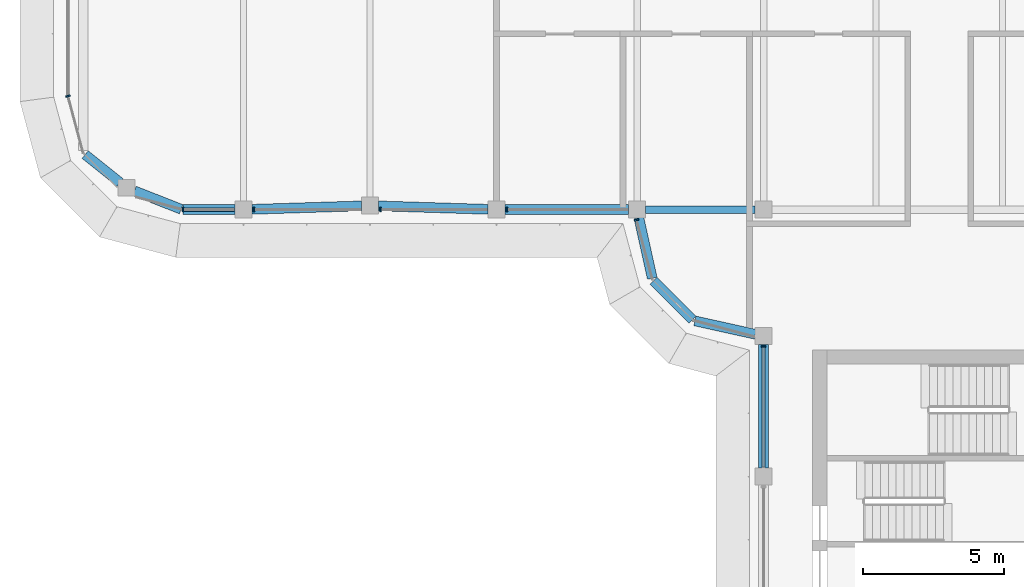
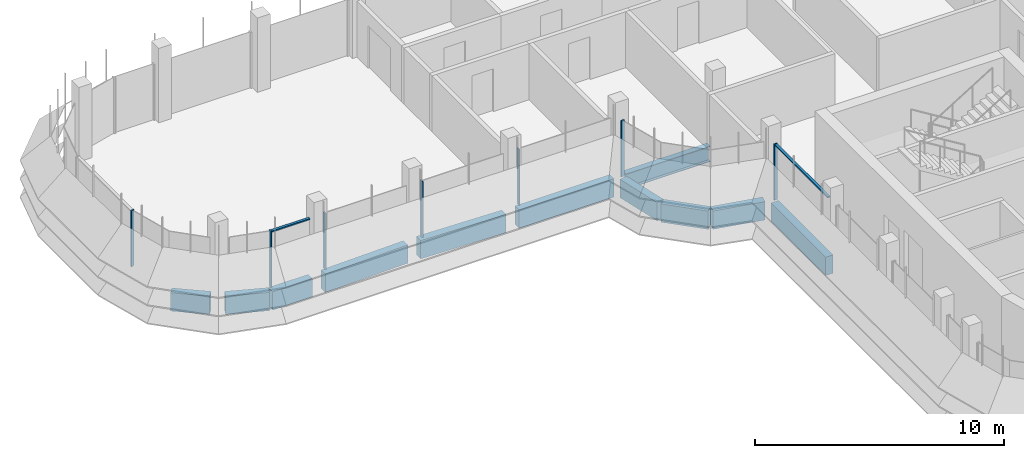
# One storey, part 3 of 19: 11 beams, 9 members, 4 elements without a shape of their own.
"""IFC4 building model written with IfcOpenShell, lengths in metres."""

from ifc_helpers import new_model, si_unit, direction, frame, origin, origin_2d, place, context, subcontext, project, spatial, polyline, rectangle, i_section, outline, extrude, source, transform, mapped, material, material_profile, profile_set, type_object, element, aggregate, save


model = new_model("IFC4")

# Units and contexts
model_context = context("Model", 3, precision=1e-05, world=origin(), true_north=direction((0.0, 1.0)))
body_context = subcontext(model_context, "Body", "Model", "MODEL_VIEW")
ifc_project = project(units=[si_unit("LENGTHUNIT", "METRE"), si_unit("AREAUNIT", "SQUARE_METRE"), si_unit("VOLUMEUNIT", "CUBIC_METRE"), si_unit("PLANEANGLEUNIT", "RADIAN"), si_unit("MASSUNIT", "GRAM", prefix="KILO")], contexts=[model_context])

# Site, building, storey
site_placement = place(None, origin())
site = spatial("IfcSite", under=ifc_project, at=site_placement, CompositionType="ELEMENT")
building_placement = place(site_placement, origin())
building = spatial("IfcBuilding", under=site, at=building_placement, Name="Zarbagh Exchange Tower", CompositionType="ELEMENT")
storey_placement = place(building_placement, frame((0.0, 0.0, 261.199951171875)))
storey = spatial("IfcBuildingStorey", under=building, at=storey_placement, Name="L64", CompositionType="ELEMENT", Elevation=261.199951171875)

# Beams
ifc_material_1 = material(Name="Steel ASTM A992 Gr 50", Category="steel")
ifc_material_profile_1 = material_profile(ifc_material_1, i_section(OverallWidth=0.2666015625, OverallDepth=0.7568359375, WebThickness=0.013916015625, FlangeThickness=0.019287109375, at=origin_2d()), Name="W30X108")
ifc_profile_set_1 = profile_set([ifc_material_profile_1], Name="Steel ASTM A992 Gr 50")
beam_type_1 = type_object("IfcBeamType", Name="Floor girder W30X108", PredefinedType="BEAM", material=ifc_profile_set_1)
beam_1_placement = place(storey_placement, frame((-10.449951171875, -6.25, -0.5283203125), z_axis=(1.0, 0.0, 0.0), x_axis=(0.0, 1.0, 0.0)))
element("IfcBeam", 1, at=beam_1_placement, inside=storey, type_object=beam_type_1, Name="Steel girder", PredefinedType="BEAM", context=body_context, shape_type="SweptSolid", body=[
    extrude(i_section(OverallWidth=0.2666015625, OverallDepth=0.7568359375, WebThickness=0.013916015625, FlangeThickness=0.019287109375, at=origin_2d()), origin(), (0.0, 0.0, 1.0), 3.89990234375),
])
ifc_material_2 = material(Name="Concrete C40/50", Category="concrete")
ifc_material_profile_2 = material_profile(ifc_material_2, rectangle(XDim=0.35009765625, YDim=0.89990234375, at=origin_2d()), Name="RC spandrel beam 350 x 900 C40/50")
ifc_profile_set_2 = profile_set([ifc_material_profile_2], Name="Concrete C40/50")
beam_type_2 = type_object("IfcBeamType", Name="RC spandrel beam 350 x 900 C40/50", PredefinedType="SPANDREL", material=ifc_profile_set_2)
beam_2_placement = place(storey_placement, frame((-6.25, -15.449951171875, -0.599853515625), z_axis=(0.0, 1.0, 0.0), x_axis=(-1.0, 0.0, 0.0)))
element("IfcBeam", 2, at=beam_2_placement, inside=storey, type_object=beam_type_2, Name="RC spandrel beam", PredefinedType="SPANDREL", context=body_context, shape_type="SweptSolid", body=[
    extrude(rectangle(XDim=0.35009765625, YDim=0.89990234375, at=origin_2d()), origin(), (0.0, 0.0, 1.0), 4.39990234375),
])
beam_3_placement = place(storey_placement, frame((-6.54296875, -10.685302734375, -0.599853515625), z_axis=(-0.976387662047, 0.216025770228, 0.0), x_axis=(-0.216025770228, -0.976387662047, 0.0)))
element("IfcBeam", 3, at=beam_3_placement, inside=storey, type_object=beam_type_2, Name="RC spandrel beam", PredefinedType="SPANDREL", context=body_context, shape_type="SweptSolid", body=[
    extrude(rectangle(XDim=0.35009765625, YDim=0.89990234375, at=origin_2d()), origin(), (0.0, 0.0, 1.0), 2.200439453125),
])
beam_4_placement = place(storey_placement, frame((-8.77734375, -10.16259765625, -0.599853515625), z_axis=(-0.707106781187, 0.707106781187, 0.0), x_axis=(-0.707106781187, -0.707106781187, 0.0)))
element("IfcBeam", 4, at=beam_4_placement, inside=storey, type_object=beam_type_2, Name="RC spandrel beam", PredefinedType="SPANDREL", context=body_context, shape_type="SweptSolid", body=[
    extrude(rectangle(XDim=0.35009765625, YDim=0.89990234375, at=origin_2d()), origin(), (0.0, 0.0, 1.0), 1.958984375),
])
beam_5_placement = place(storey_placement, frame((-10.2099609375, -8.69140625, -0.599853515625), z_axis=(-0.216025770228, 0.976387662047, 0.0), x_axis=(-0.976387662047, -0.216025770228, 0.0)))
element("IfcBeam", 5, at=beam_5_placement, inside=storey, type_object=beam_type_2, Name="RC spandrel beam", PredefinedType="SPANDREL", context=body_context, shape_type="SweptSolid", body=[
    extrude(rectangle(XDim=0.35009765625, YDim=0.89990234375, at=origin_2d()), origin(), (0.0, 0.0, 1.0), 2.200439453125),
])
beam_6_placement = place(storey_placement, frame((-11.050048828125, -6.25, -0.599853515625), z_axis=(-1.0, 0.0, 0.0), x_axis=(0.0, -1.0, 0.0)))
element("IfcBeam", 6, at=beam_6_placement, inside=storey, type_object=beam_type_2, Name="RC spandrel beam", PredefinedType="SPANDREL", context=body_context, shape_type="SweptSolid", body=[
    extrude(rectangle(XDim=0.35009765625, YDim=0.89990234375, at=origin_2d()), origin(), (0.0, 0.0, 1.0), 4.39990234375),
])
for number, where, z_axis, x_axis, name in (
    (7, (-16.0498046875, -6.24072265625, -0.599853515625), (-0.999516460907, 0.031094121249, 0.0), (-0.031094121249, -0.999516460907, 0.0), "RC spandrel beam"),
    (8, (-20.5498046875, -6.119384765625, -0.599853515625), (-0.999516460907, -0.031094121249, 0.0), (0.031094121249, -0.999516460907, 0.0), "RC spandrel beam"),
):
    element("IfcBeam", number, at=place(storey_placement, frame(where, z_axis=z_axis, x_axis=x_axis)), inside=storey, type_object=beam_type_2, Name=name, PredefinedType="SPANDREL", context=body_context, shape_type="SweptSolid", body=[
        extrude(rectangle(XDim=0.35009765625, YDim=0.89990234375, at=origin_2d()), origin(), (0.0, 0.0, 1.0), 3.90234375),
    ])
beam_7_placement = place(storey_placement, frame((-25.050048828125, -6.25, -0.599853515625), z_axis=(-1.0, 0.0, 0.0), x_axis=(0.0, -1.0, 0.0)))
element("IfcBeam", 9, at=beam_7_placement, inside=storey, type_object=beam_type_2, Name="RC spandrel beam", PredefinedType="SPANDREL", context=body_context, shape_type="SweptSolid", body=[
    extrude(rectangle(XDim=0.35009765625, YDim=0.89990234375, at=origin_2d()), origin(), (0.0, 0.0, 1.0), 1.850830078125),
])
beam_8_placement = place(storey_placement, frame((-26.965087890625, -6.23779296875, -0.599853515625), z_axis=(-0.930859366381, 0.365377667655, 0.0), x_axis=(-0.365377667655, -0.930859366381, 0.0)))
element("IfcBeam", 10, at=beam_8_placement, inside=storey, type_object=beam_type_2, Name="RC spandrel beam", PredefinedType="SPANDREL", context=body_context, shape_type="SweptSolid", body=[
    extrude(rectangle(XDim=0.35009765625, YDim=0.89990234375, at=origin_2d()), origin(), (0.0, 0.0, 1.0), 1.787353515625),
])
beam_9_placement = place(storey_placement, frame((-29.14208984375, -5.28759765625, -0.599853515625), z_axis=(-0.780584122498, 0.625050740104, 0.0), x_axis=(-0.625050740104, -0.780584122498, 0.0)))
element("IfcBeam", 11, at=beam_9_placement, inside=storey, type_object=beam_type_2, Name="RC spandrel beam", PredefinedType="SPANDREL", context=body_context, shape_type="SweptSolid", body=[
    extrude(rectangle(XDim=0.35009765625, YDim=0.89990234375, at=origin_2d()), origin(), (0.0, 0.0, 1.0), 1.590087890625),
])

# Curtain wall, member
ifc_material_3 = material(Name="Anodised aluminium frame and glazing", Category="aluminium")
curtain_wall_type = type_object("IfcCurtainWallType", Name="CWB Ribbon glazing, upper zones", PredefinedType="NOTDEFINED", material=ifc_material_3)
curtain_wall_1_placement = place(storey_placement, origin())
curtain_wall_1 = element("IfcCurtainWall", 12, at=curtain_wall_1_placement, inside=storey, type_object=curtain_wall_type, Name="CWB62 curtain wall", PredefinedType="NOTDEFINED")
ifc_material_4 = material(Name="Anodised aluminium frame", Category="aluminium")
member_type_1 = type_object("IfcMemberType", Name="MUB Mullion, anodised aluminium frame", PredefinedType="MULLION", material=ifc_material_4)
shared_shape_1 = source(origin(), body_context, "Body", "SweptSolid", [
    extrude(outline(polyline([(0.0, -0.080078125), (0.06005859375, -0.080078125), (0.06005859375, 0.080078125), (0.0, 0.080078125), (0.0, -0.080078125)])), origin(), (0.0, 0.0, 1.0), 2.75),
])
placement = place(storey_placement, origin())
member_1 = element("IfcMember", 13, at=placement, type_object=member_type_1, Name="CWB62 mullion 1.1", PredefinedType="MULLION", context=body_context, shape_type="MappedRepresentation", body=[
    mapped(shared_shape_1, transform((-31.0, -2.18408203125, 0.0), x_axis=(0.258824779902, -0.965924289636, 0.0), y_axis=(0.965924289636, 0.258824779902, 0.0), z_axis=(0.0, 0.0, 1.0))),
])
aggregate(curtain_wall_1, [member_1])

# Curtain wall, members
curtain_wall_2_placement = place(storey_placement, origin())
curtain_wall_2 = element("IfcCurtainWall", 14, at=curtain_wall_2_placement, inside=storey, type_object=curtain_wall_type, Name="CWB65 curtain wall", PredefinedType="NOTDEFINED")
member_2 = element("IfcMember", 15, at=placement, type_object=member_type_1, Name="CWB65 mullion 1.1", PredefinedType="MULLION", context=body_context, shape_type="MappedRepresentation", body=[
    mapped(shared_shape_1, transform((-26.93408203125, -6.25, 0.0), x_axis=(1.0, 0.0, 0.0), y_axis=(0.0, 1.0, 0.0), z_axis=(0.0, 0.0, 1.0))),
])
member_3 = element("IfcMember", 16, at=placement, type_object=member_type_1, Name="CWB65 mullion 2.1", PredefinedType="MULLION", context=body_context, shape_type="MappedRepresentation", body=[
    mapped(shared_shape_1, transform((-24.409912109375, -6.25, 0.0), x_axis=(1.0, 0.0, 0.0), y_axis=(0.0, 1.0, 0.0), z_axis=(0.0, 0.0, 1.0))),
])
member_4 = element("IfcMember", 17, at=placement, type_object=member_type_1, Name="CWB65 mullion 3.1", PredefinedType="MULLION", context=body_context, shape_type="MappedRepresentation", body=[
    mapped(shared_shape_1, transform((-19.909912109375, -6.25, 0.0), x_axis=(1.0, 0.0, 0.0), y_axis=(0.0, 1.0, 0.0), z_axis=(0.0, 0.0, 1.0))),
])
member_5 = element("IfcMember", 18, at=placement, type_object=member_type_1, Name="CWB65 mullion 4.1", PredefinedType="MULLION", context=body_context, shape_type="MappedRepresentation", body=[
    mapped(shared_shape_1, transform((-15.409912109375, -6.25, 0.0), x_axis=(1.0, 0.0, 0.0), y_axis=(0.0, 1.0, 0.0), z_axis=(0.0, 0.0, 1.0))),
])

# Curtain wall, member
curtain_wall_3_placement = place(storey_placement, origin())
curtain_wall_3 = element("IfcCurtainWall", 19, at=curtain_wall_3_placement, inside=storey, type_object=curtain_wall_type, Name="CWB41 curtain wall", PredefinedType="NOTDEFINED")
member_6 = element("IfcMember", 20, at=placement, type_object=member_type_1, Name="CWB41 mullion 1.1", PredefinedType="MULLION", context=body_context, shape_type="MappedRepresentation", body=[
    mapped(shared_shape_1, transform((-10.775146484375, -6.590087890625, 0.0), x_axis=(0.258824779902, -0.965924289636, 0.0), y_axis=(0.965924289636, 0.258824779902, 0.0), z_axis=(0.0, 0.0, 1.0))),
])
aggregate(curtain_wall_3, [member_6])

curtain_wall_4_placement = place(storey_placement, origin())
curtain_wall_4 = element("IfcCurtainWall", 21, at=curtain_wall_4_placement, inside=storey, type_object=curtain_wall_type, Name="CWB53 curtain wall", PredefinedType="NOTDEFINED")
member_7 = element("IfcMember", 22, at=placement, type_object=member_type_1, Name="CWB53 mullion 1.1", PredefinedType="MULLION", context=body_context, shape_type="MappedRepresentation", body=[
    mapped(shared_shape_1, transform((-6.25, -11.090087890625, 0.0), x_axis=(0.0, -1.0, 0.0), y_axis=(1.0, 0.0, 0.0), z_axis=(0.0, 0.0, 1.0))),
])

# Member
member_type_2 = type_object("IfcMemberType", Name="TRB Transom, anodised aluminium frame", PredefinedType="USERDEFINED", material=ifc_material_4)
shared_shape_2 = source(origin(), body_context, "Body", "SweptSolid", [
    extrude(outline(polyline([(-0.06005859375, -0.06005859375), (0.0, -0.06005859375), (0.0, 0.06005859375), (-0.06005859375, 0.06005859375), (-0.06005859375, -0.06005859375)])), origin(), (0.0, 0.0, 1.0), 1.7841796875),
])
member_8 = element("IfcMember", 23, at=placement, type_object=member_type_2, Name="CWB65 transom 1.1", ObjectType="TRANSOM", PredefinedType="USERDEFINED", context=body_context, shape_type="MappedRepresentation", body=[
    mapped(shared_shape_2, transform((-26.874267578125, -6.25, 2.75), x_axis=(0.0, 0.0, 1.0), y_axis=(0.0, -1.0, 0.0), z_axis=(1.0, 0.0, 0.0))),
])

aggregate(curtain_wall_2, [member_2, member_8, member_3, member_4, member_5])

shared_shape_3 = source(origin(), body_context, "Body", "SweptSolid", [
    extrude(outline(polyline([(-0.06005859375, -0.06005859375), (0.0, -0.06005859375), (0.0, 0.06005859375), (-0.06005859375, 0.06005859375), (-0.06005859375, -0.06005859375)])), origin(), (0.0, 0.0, 1.0), 4.260009765625),
])
member_9 = element("IfcMember", 24, at=placement, type_object=member_type_2, Name="CWB53 transom 1.1", ObjectType="TRANSOM", PredefinedType="USERDEFINED", context=body_context, shape_type="MappedRepresentation", body=[
    mapped(shared_shape_3, transform((-6.25, -11.150146484375, 2.75), x_axis=(0.0, 0.0, 1.0), y_axis=(-1.0, 0.0, 0.0), z_axis=(0.0, -1.0, 0.0))),
])

aggregate(curtain_wall_4, [member_7, member_9])

save(model, "model.ifc")
